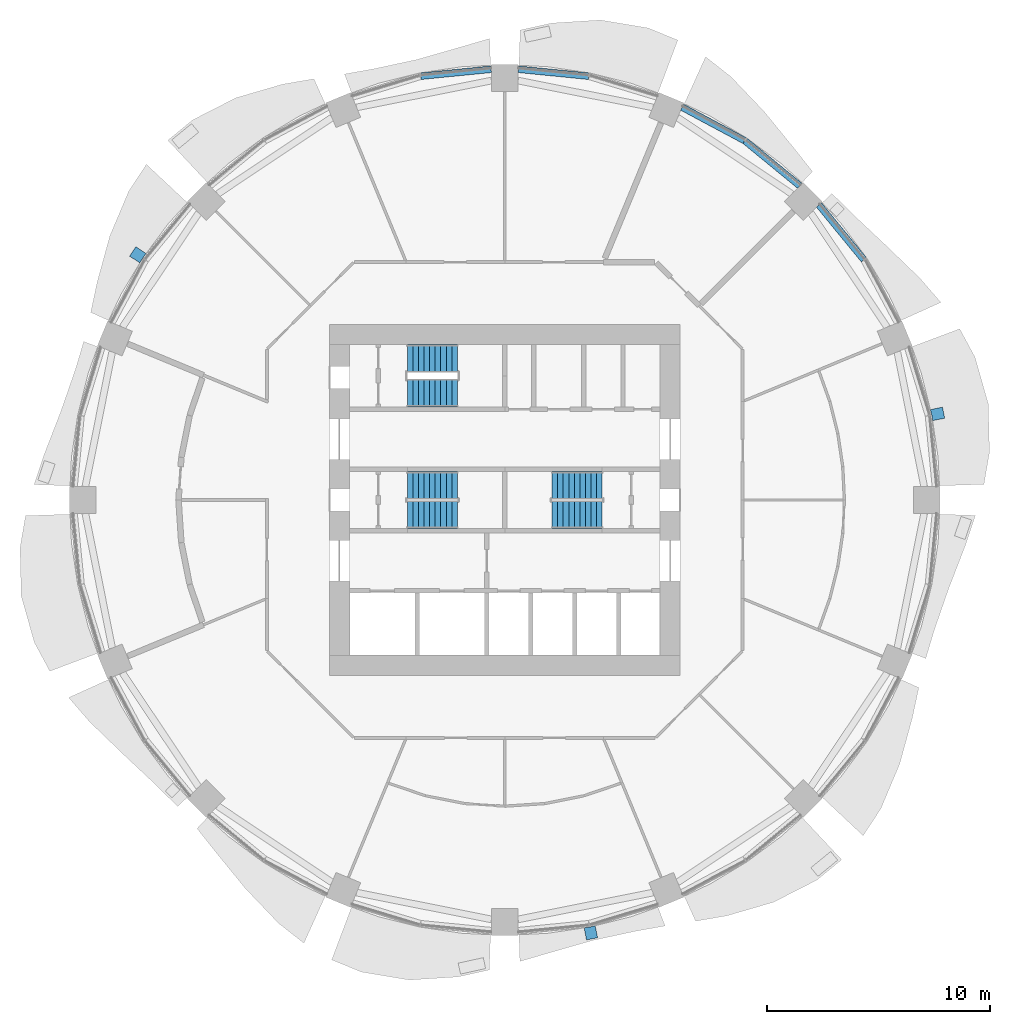
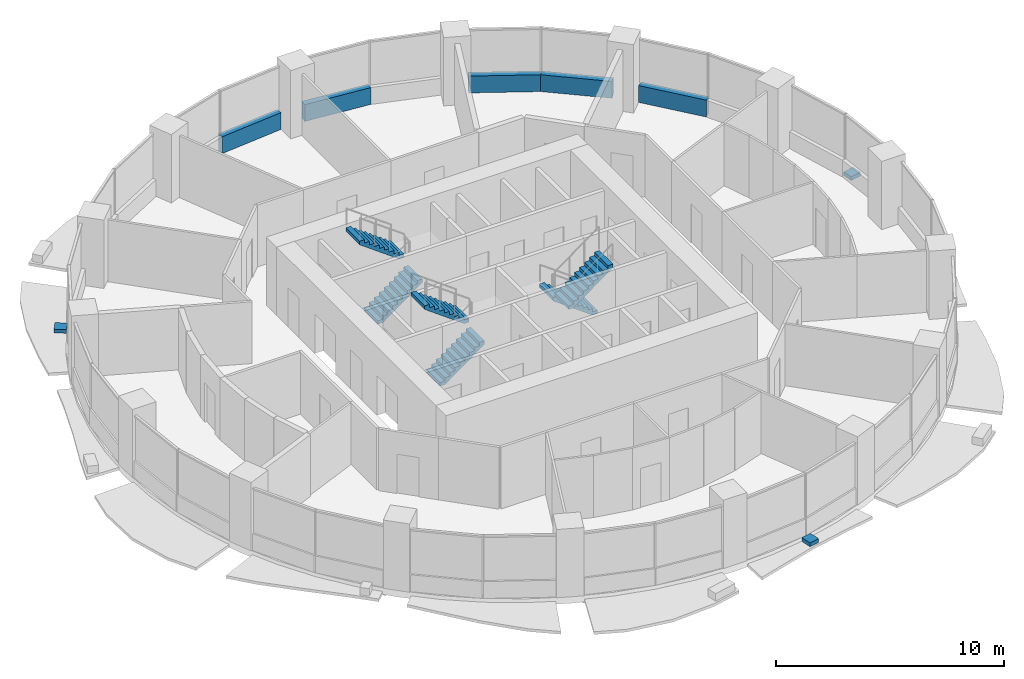
# One storey, part 11 of 15: 6 stair flights, 5 walls, 3 discrete accessories, 3 elements without a shape of their own.
"""IFC4 building model written with IfcOpenShell, lengths in metres."""

import ifcopenshell
import ifcopenshell.guid

model = None  # the IFC model being written
_history = None  # IfcOwnerHistory: only IFC2X3 demands one
_inside = {}  # id of a spatial element -> (the spatial element, [elements in it])
_under = {}  # id of a project, library or spatial element -> (it, [spatial elements below it])
_declared = {}  # id of a project -> (the project, [libraries it declares])
_typed = {}  # id of a type object -> (the type object, [elements of that type])
_made_of = {}  # id of a material, layer set ... -> (it, [elements and type objects made of it])


def new_model(schema):
    """Start an empty IFC model of exactly this schema.

    Asked for "IFC4X3", IfcOpenShell would pick the latest addendum, in which some entities
    have other attributes; the version numbers below select the first issue.
    IFC2X3 requires an IfcOwnerHistory on every rooted entity: one is made here for all.
    """
    global model, _history
    if schema == "IFC4X3":
        model = ifcopenshell.file(schema_version=(4, 3, 0, 0))
    else:
        model = ifcopenshell.file(schema=schema)
    _inside.clear()
    _under.clear()
    _declared.clear()
    _typed.clear()
    _made_of.clear()
    _history = None
    if model.schema == "IFC2X3":
        org = make("IfcOrganization", Name="unknown")
        user = make(
            "IfcPersonAndOrganization",
            ThePerson=make("IfcPerson", FamilyName="unknown"),
            TheOrganization=org,
        )
        app = make(
            "IfcApplication",
            ApplicationDeveloper=org,
            Version="unknown",
            ApplicationFullName="unknown",
            ApplicationIdentifier="unknown",
        )
        _history = make(
            "IfcOwnerHistory",
            OwningUser=user,
            OwningApplication=app,
            ChangeAction="ADDED",
            CreationDate=0,
        )
    return model


def make(cls, **values):
    """One entity of the class cls with the attributes given. An attribute that is None is left unset."""
    return model.create_entity(
        cls, **{name: value for name, value in values.items() if value is not None}
    )


def rooted(cls, **values):
    """An entity with a GlobalId (a new one), such as an element, a storey or a relation."""
    return make(cls, GlobalId=ifcopenshell.guid.new(), OwnerHistory=_history, **values)


def si_unit(unit_type, name, prefix=None):
    """IfcSIUnit, for example si_unit("LENGTHUNIT", "METRE", prefix="MILLI")."""
    return make("IfcSIUnit", UnitType=unit_type, Prefix=prefix, Name=name)


def assignment(units):
    """IfcUnitAssignment: the units of a project."""
    return None if units is None else make("IfcUnitAssignment", Units=units)


def point(xyz):
    """IfcCartesianPoint."""
    return None if xyz is None else make("IfcCartesianPoint", Coordinates=xyz)


def direction(xyz):
    """IfcDirection."""
    return None if xyz is None else make("IfcDirection", DirectionRatios=xyz)


def frame(location, z_axis=None, x_axis=None):
    """IfcAxis2Placement3D, a coordinate frame: its origin and axes. An axis left out is left unset."""
    return make(
        "IfcAxis2Placement3D",
        Location=point(location),
        Axis=direction(z_axis),
        RefDirection=direction(x_axis),
    )


def frame_2d(location, x_axis=None):
    """IfcAxis2Placement2D, a coordinate frame in the plane: its origin and x axis."""
    return make(
        "IfcAxis2Placement2D", Location=point(location), RefDirection=direction(x_axis)
    )


def origin():
    """The frame at (0, 0, 0) with its axes left unset."""
    return frame((0.0, 0.0, 0.0))


def place(relative_to, where):
    """IfcLocalPlacement: puts the frame where relative to a parent placement (None: the world)."""
    return make(
        "IfcLocalPlacement", PlacementRelTo=relative_to, RelativePlacement=where
    )


def context(
    kind, dimensions, precision=None, world=None, true_north=None, identifier=None
):
    """IfcGeometricRepresentationContext, for example the 3D "Model" context."""
    return make(
        "IfcGeometricRepresentationContext",
        ContextIdentifier=identifier,
        ContextType=kind,
        CoordinateSpaceDimension=dimensions,
        Precision=precision,
        WorldCoordinateSystem=world,
        TrueNorth=true_north,
    )


def subcontext(parent, identifier, kind, view, scale=None):
    """IfcGeometricRepresentationSubContext, for example "Body" below "Model"."""
    return make(
        "IfcGeometricRepresentationSubContext",
        ContextIdentifier=identifier,
        ContextType=kind,
        ParentContext=parent,
        TargetScale=scale,
        TargetView=view,
    )


def project(units=None, contexts=None):
    """IfcProject with its units and contexts."""
    return rooted(
        "IfcProject",
        Name="project",
        RepresentationContexts=contexts,
        UnitsInContext=assignment(units),
    )


def spatial(cls, under=None, at=None, **own):
    """A site, building, storey or space (cls), placed at a placement, below another one or the project."""
    s = rooted(cls, ObjectPlacement=at, **own)
    if under is not None:
        _under.setdefault(under.id(), (under, []))[1].append(s)
    return s


def polyline(points):
    """IfcPolyline through the points."""
    return make("IfcPolyline", Points=[point(p) for p in points])


def profile(cls, at=None, kind="AREA", **sizes):
    """A parametric profile (cls). Its sizes go by their IFC names, for example OverallWidth=200.0."""
    return make(cls, ProfileType=kind, Position=at, **sizes)


def rectangle(**sizes):
    """IfcRectangleProfileDef."""
    return profile("IfcRectangleProfileDef", **sizes)


def outline(outer, holes=None, kind="AREA"):
    """IfcArbitraryClosedProfileDef: a profile drawn as a closed curve; with holes, ...WithVoids."""
    if holes is None:
        return make("IfcArbitraryClosedProfileDef", ProfileType=kind, OuterCurve=outer)
    return make(
        "IfcArbitraryProfileDefWithVoids",
        ProfileType=kind,
        OuterCurve=outer,
        InnerCurves=holes,
    )


def extrude(swept, where, along, depth):
    """IfcExtrudedAreaSolid: the profile swept, set in the frame where, extruded along a direction by depth."""
    return make(
        "IfcExtrudedAreaSolid",
        SweptArea=swept,
        Position=where,
        ExtrudedDirection=direction(along),
        Depth=depth,
    )


def shape(context_of_items, identifier, shape_type, items):
    """IfcShapeRepresentation: the items that make up one representation, for example the "Body"."""
    return make(
        "IfcShapeRepresentation",
        ContextOfItems=context_of_items,
        RepresentationIdentifier=identifier,
        RepresentationType=shape_type,
        Items=items,
    )


def material(Name=None, Category=None):
    """IfcMaterial."""
    return make("IfcMaterial", Name=Name, Category=Category)


def layer(
    of_material, thickness, ventilated=None, Name=None, Category=None, Priority=None
):
    """IfcMaterialLayer: one layer of a wall or slab, of a material (None: an air gap)."""
    return make(
        "IfcMaterialLayer",
        Material=of_material,
        LayerThickness=thickness,
        IsVentilated=ventilated,
        Name=Name,
        Category=Category,
        Priority=Priority,
    )


def layer_set(layers, Name=None):
    """IfcMaterialLayerSet."""
    return make("IfcMaterialLayerSet", MaterialLayers=layers, LayerSetName=Name)


def made_of(thing, what):
    """Note that an element or type object is made of a material, layer set ...; save() writes the relation."""
    if what is not None:
        _made_of.setdefault(what.id(), (what, []))[1].append(thing)
    return thing


def type_object(cls, material=None, **own):
    """A type object (cls), such as IfcWallType, which elements share."""
    return made_of(rooted(cls, **own), material)


def element(
    cls,
    number,
    at=None,
    inside=None,
    cuts=None,
    type_object=None,
    material=None,
    context=None,
    identifier="Body",
    shape_type=None,
    held_by="IfcProductDefinitionShape",
    body=None,
    shapes=None,
    **own,
):
    """One element of the class cls, such as IfcWall. Its Tag is "e" and its number.

    at: its placement. inside: the storey or other place that contains it. cuts: it is an
    opening in that element (IfcRelVoidsElement). A single representation is given by context,
    identifier, shape_type and body (its items); several are given by shapes. held_by: the class
    of the entity that holds the representations. save() writes the other relations.
    """
    e = rooted(cls, Tag="e%d" % number, ObjectPlacement=at, **own)
    if body is not None:
        shapes = [shape(context, identifier, shape_type, body)]
    if shapes is not None:
        e.Representation = make(held_by, Representations=shapes)
    if inside is not None:
        _inside.setdefault(inside.id(), (inside, []))[1].append(e)
    if cuts is not None:
        rooted(
            "IfcRelVoidsElement", RelatingBuildingElement=cuts, RelatedOpeningElement=e
        )
    if type_object is not None:
        _typed.setdefault(type_object.id(), (type_object, []))[1].append(e)
    return made_of(e, material)


def aggregate(whole, parts):
    """IfcRelAggregates: a whole, such as a stair, and the parts it consists of."""
    return rooted("IfcRelAggregates", RelatingObject=whole, RelatedObjects=parts)


def save(model, path):
    """Write the relations noted so far, then the file.

    IfcRelAggregates (storeys below a building ...), IfcRelContainedInSpatialStructure (elements
    in a storey), IfcRelDefinesByType, IfcRelAssociatesMaterial and IfcRelDeclares: one each for
    every whole, place, type object, material and project.
    """
    for whole, parts in _under.values():
        aggregate(whole, parts)
    for where, things in _inside.values():
        rooted(
            "IfcRelContainedInSpatialStructure",
            RelatedElements=things,
            RelatingStructure=where,
        )
    for kind, things in _typed.values():
        rooted("IfcRelDefinesByType", RelatedObjects=things, RelatingType=kind)
    for what, things in _made_of.values():
        rooted("IfcRelAssociatesMaterial", RelatedObjects=things, RelatingMaterial=what)
    for by, libraries in _declared.values():
        rooted("IfcRelDeclares", RelatingContext=by, RelatedDefinitions=libraries)
    model.write(path)


model = new_model("IFC4")

# Units and contexts
model_context = context("Model", 3, precision=1e-05, world=origin(), true_north=direction((0.0, 1.0)))
body_context = subcontext(model_context, "Body", "Model", "MODEL_VIEW")
ifc_project = project(units=[si_unit("LENGTHUNIT", "METRE"), si_unit("AREAUNIT", "SQUARE_METRE"), si_unit("VOLUMEUNIT", "CUBIC_METRE"), si_unit("PLANEANGLEUNIT", "RADIAN"), si_unit("MASSUNIT", "GRAM", prefix="KILO")], contexts=[model_context])

# Site, building, storey
site_placement = place(None, origin())
site = spatial("IfcSite", under=ifc_project, at=site_placement, CompositionType="ELEMENT")
building_placement = place(site_placement, origin())
building = spatial("IfcBuilding", under=site, at=building_placement, Name="Polderwave Tower", CompositionType="ELEMENT")
storey_placement = place(building_placement, frame((0.0, 0.0, 59.050048828125)))
storey = spatial("IfcBuildingStorey", under=building, at=storey_placement, Name="L15", CompositionType="ELEMENT", Elevation=59.050048828125)

# Walls
ifc_material_1 = material(Name="Concrete C50/60 (board-marked)", Category="concrete")
ifc_layer = layer(ifc_material_1, 0.300048828125)
ifc_layer_set = layer_set([ifc_layer], Name="Concrete spandrel upstand C50/60")
wall_type = type_object("IfcWallType", Name="Concrete spandrel upstand C50/60", PredefinedType="SOLIDWALL", material=ifc_layer_set)
for number, where, z_axis, x_axis, name in (
    (1, (16.112548828125, 10.78369140625, 0.0), (0.0, 0.0, 1.0), (-0.634164330819, 0.773198293788, 0.0), "Spandrel L15 2b"),
    (2, (13.234375, 14.1025390625, 0.0), (0.0, 0.0, 1.0), (-0.773198293788, 0.634164330819, 0.0), "Spandrel L15 3a"),
):
    element("IfcWall", number, at=place(storey_placement, frame(where, z_axis=z_axis, x_axis=x_axis)), inside=storey, type_object=wall_type, Name=name, PredefinedType="SOLIDWALL", context=body_context, shape_type="SweptSolid", body=[
        extrude(rectangle(XDim=3.16943359375, YDim=0.300048828125, at=frame_2d((1.584716796875, 0.0))), origin(), (0.0, 0.0, 1.0), 0.89990234375),
    ])
wall_placement = place(storey_placement, frame((10.7587890625, 16.129150390625, 0.0), z_axis=(0.0, 0.0, 1.0), x_axis=(-0.882007292685, 0.47123575379, 0.0)))
element("IfcWall", 3, at=wall_placement, inside=storey, type_object=wall_type, Name="Spandrel L15 3b", PredefinedType="SOLIDWALL", context=body_context, shape_type="SweptSolid", body=[
    extrude(rectangle(XDim=3.169677734375, YDim=0.300048828125, at=frame_2d((1.5849609375, 0.0))), origin(), (0.0, 0.0, 1.0), 0.89990234375),
])
for number, where, z_axis, x_axis, name in (
    (4, (3.76806640625, 19.0185546875, 0.0), (0.0, 0.0, 1.0), (-0.995176482603, 0.098100807709, 0.0), "Spandrel L15 4b"),
    (5, (-0.61279296875, 19.32958984375, 0.0), (0.0, 0.0, 1.0), (-0.995176482603, -0.098100807709, 0.0), "Spandrel L15 5a"),
):
    element("IfcWall", number, at=place(storey_placement, frame(where, z_axis=z_axis, x_axis=x_axis)), inside=storey, type_object=wall_type, Name=name, PredefinedType="SOLIDWALL", context=body_context, shape_type="SweptSolid", body=[
        extrude(rectangle(XDim=3.170654296875, YDim=0.300048828125, at=frame_2d((1.58544921875, 0.0))), origin(), (0.0, 0.0, 1.0), 0.89990234375),
    ])

# Stair, stair flights
ifc_material_2 = material(Name="Concrete C40/50", Category="concrete")
stair_type = type_object("IfcStairType", Name="Exit stair 1200 x 20 risers", PredefinedType="HALF_TURN_STAIR", material=ifc_material_2)
stair_1_placement = place(storey_placement, origin())
stair_1 = element("IfcStair", 6, at=stair_1_placement, inside=storey, type_object=stair_type, Name="L15 Exit stair A", PredefinedType="HALF_TURN_STAIR")
stair_flight_type = type_object("IfcStairFlightType", Name="Stair flight 1200", PredefinedType="STRAIGHT", material=ifc_material_2)
stair_flight_1_placement = place(storey_placement, frame((-4.3740234375, -0.675048828125, 0.0), z_axis=(0.0, 0.0, 1.0), x_axis=(1.0, 0.0, 0.0)))
stair_flight_1 = element("IfcStairFlight", 7, at=stair_flight_1_placement, type_object=stair_flight_type, Name="ST-A flight 1", NumberOfRisers=10, NumberOfTreads=9, PredefinedType="STRAIGHT", RiserHeight=0.1825, TreadLength=0.25, context=body_context, shape_type="SweptSolid", body=[
    extrude(outline(polyline([(0.0, 0.0), (0.0, 0.1826171875), (0.25, 0.1826171875), (0.25, 0.364990234375), (0.5, 0.364990234375), (0.5, 0.547607421875), (0.75, 0.547607421875), (0.75, 0.72998046875), (1.0, 0.72998046875), (1.0, 0.91259765625), (1.25, 0.91259765625), (1.25, 1.094970703125), (1.5, 1.094970703125), (1.5, 1.277587890625), (1.75, 1.277587890625), (1.75, 1.4599609375), (2.0, 1.4599609375), (2.0, 1.642578125), (2.25, 1.642578125), (2.25, 1.824951171875), (2.25, 1.456787109375), (0.254150390625, 0.0), (0.0, 0.0)])), frame((0.0, 0.60009765625, 0.0), z_axis=(0.0, -1.0, 0.0), x_axis=(1.0, 0.0, 0.0)), (0.0, 0.0, 1.0), 1.199951171875),
])
stair_flight_2_placement = place(storey_placement, frame((-2.1240234375, 0.675048828125, 1.824951171875), z_axis=(0.0, 0.0, 1.0), x_axis=(-1.0, 0.0, 0.0)))
stair_flight_2 = element("IfcStairFlight", 8, at=stair_flight_2_placement, type_object=stair_flight_type, Name="ST-A flight 2", NumberOfRisers=10, NumberOfTreads=9, PredefinedType="STRAIGHT", RiserHeight=0.1825, TreadLength=0.25, context=body_context, shape_type="SweptSolid", body=[
    extrude(outline(polyline([(0.0, 0.0), (0.0, 0.1826171875), (0.25, 0.1826171875), (0.25, 0.364990234375), (0.5, 0.364990234375), (0.5, 0.547607421875), (0.75, 0.547607421875), (0.75, 0.72998046875), (1.0, 0.72998046875), (1.0, 0.91259765625), (1.25, 0.91259765625), (1.25, 1.094970703125), (1.5, 1.094970703125), (1.5, 1.277587890625), (1.75, 1.277587890625), (1.75, 1.4599609375), (2.0, 1.4599609375), (2.0, 1.642578125), (2.25, 1.642578125), (2.25, 1.824951171875), (2.25, 1.456787109375), (0.254150390625, 0.0), (0.0, 0.0)])), frame((0.0, 0.60009765625, 0.0), z_axis=(0.0, -1.0, 0.0), x_axis=(1.0, 0.0, 0.0)), (0.0, 0.0, 1.0), 1.199951171875),
])
aggregate(stair_1, [stair_flight_1, stair_flight_2])

stair_2_placement = place(storey_placement, origin())
stair_2 = element("IfcStair", 9, at=stair_2_placement, inside=storey, type_object=stair_type, Name="L15 Exit stair B", PredefinedType="HALF_TURN_STAIR")
stair_flight_3_placement = place(storey_placement, frame((4.3740234375, 0.675048828125, 0.0), z_axis=(0.0, 0.0, 1.0), x_axis=(-1.0, 0.0, 0.0)))
stair_flight_3 = element("IfcStairFlight", 10, at=stair_flight_3_placement, type_object=stair_flight_type, Name="ST-B flight 1", NumberOfRisers=10, NumberOfTreads=9, PredefinedType="STRAIGHT", RiserHeight=0.1825, TreadLength=0.25, context=body_context, shape_type="SweptSolid", body=[
    extrude(outline(polyline([(0.0, 0.0), (0.0, 0.1826171875), (0.25, 0.1826171875), (0.25, 0.364990234375), (0.5, 0.364990234375), (0.5, 0.547607421875), (0.75, 0.547607421875), (0.75, 0.72998046875), (1.0, 0.72998046875), (1.0, 0.91259765625), (1.25, 0.91259765625), (1.25, 1.094970703125), (1.5, 1.094970703125), (1.5, 1.277587890625), (1.75, 1.277587890625), (1.75, 1.4599609375), (2.0, 1.4599609375), (2.0, 1.642578125), (2.25, 1.642578125), (2.25, 1.824951171875), (2.25, 1.456787109375), (0.254150390625, 0.0), (0.0, 0.0)])), frame((0.0, 0.60009765625, 0.0), z_axis=(0.0, -1.0, 0.0), x_axis=(1.0, 0.0, 0.0)), (0.0, 0.0, 1.0), 1.199951171875),
])
stair_flight_4_placement = place(storey_placement, frame((2.1240234375, -0.675048828125, 1.824951171875), z_axis=(0.0, 0.0, 1.0), x_axis=(1.0, 0.0, 0.0)))
stair_flight_4 = element("IfcStairFlight", 11, at=stair_flight_4_placement, type_object=stair_flight_type, Name="ST-B flight 2", NumberOfRisers=10, NumberOfTreads=9, PredefinedType="STRAIGHT", RiserHeight=0.1825, TreadLength=0.25, context=body_context, shape_type="SweptSolid", body=[
    extrude(outline(polyline([(0.0, 0.0), (0.0, 0.1826171875), (0.25, 0.1826171875), (0.25, 0.364990234375), (0.5, 0.364990234375), (0.5, 0.547607421875), (0.75, 0.547607421875), (0.75, 0.72998046875), (1.0, 0.72998046875), (1.0, 0.91259765625), (1.25, 0.91259765625), (1.25, 1.094970703125), (1.5, 1.094970703125), (1.5, 1.277587890625), (1.75, 1.277587890625), (1.75, 1.4599609375), (2.0, 1.4599609375), (2.0, 1.642578125), (2.25, 1.642578125), (2.25, 1.824951171875), (2.25, 1.456787109375), (0.254150390625, 0.0), (0.0, 0.0)])), frame((0.0, 0.60009765625, 0.0), z_axis=(0.0, -1.0, 0.0), x_axis=(1.0, 0.0, 0.0)), (0.0, 0.0, 1.0), 1.199951171875),
])
aggregate(stair_2, [stair_flight_3, stair_flight_4])

stair_3_placement = place(storey_placement, origin())
stair_3 = element("IfcStair", 12, at=stair_3_placement, inside=storey, type_object=stair_type, Name="L15 Exit stair C", PredefinedType="HALF_TURN_STAIR")
stair_flight_5_placement = place(storey_placement, frame((-4.3740234375, 4.77392578125, 0.0), z_axis=(0.0, 0.0, 1.0), x_axis=(1.0, 0.0, 0.0)))
stair_flight_5 = element("IfcStairFlight", 13, at=stair_flight_5_placement, type_object=stair_flight_type, Name="ST-C flight 1", NumberOfRisers=10, NumberOfTreads=9, PredefinedType="STRAIGHT", RiserHeight=0.1825, TreadLength=0.25, context=body_context, shape_type="SweptSolid", body=[
    extrude(outline(polyline([(0.0, 0.0), (0.0, 0.1826171875), (0.25, 0.1826171875), (0.25, 0.364990234375), (0.5, 0.364990234375), (0.5, 0.547607421875), (0.75, 0.547607421875), (0.75, 0.72998046875), (1.0, 0.72998046875), (1.0, 0.91259765625), (1.25, 0.91259765625), (1.25, 1.094970703125), (1.5, 1.094970703125), (1.5, 1.277587890625), (1.75, 1.277587890625), (1.75, 1.4599609375), (2.0, 1.4599609375), (2.0, 1.642578125), (2.25, 1.642578125), (2.25, 1.824951171875), (2.25, 1.456787109375), (0.254150390625, 0.0), (0.0, 0.0)])), frame((0.0, 0.60009765625, 0.0), z_axis=(0.0, -1.0, 0.0), x_axis=(1.0, 0.0, 0.0)), (0.0, 0.0, 1.0), 1.199951171875),
])
stair_flight_6_placement = place(storey_placement, frame((-2.1240234375, 6.3740234375, 1.824951171875), z_axis=(0.0, 0.0, 1.0), x_axis=(-1.0, 0.0, 0.0)))
stair_flight_6 = element("IfcStairFlight", 14, at=stair_flight_6_placement, type_object=stair_flight_type, Name="ST-C flight 2", NumberOfRisers=10, NumberOfTreads=9, PredefinedType="STRAIGHT", RiserHeight=0.1825, TreadLength=0.25, context=body_context, shape_type="SweptSolid", body=[
    extrude(outline(polyline([(0.0, 0.0), (0.0, 0.1826171875), (0.25, 0.1826171875), (0.25, 0.364990234375), (0.5, 0.364990234375), (0.5, 0.547607421875), (0.75, 0.547607421875), (0.75, 0.72998046875), (1.0, 0.72998046875), (1.0, 0.91259765625), (1.25, 0.91259765625), (1.25, 1.094970703125), (1.5, 1.094970703125), (1.5, 1.277587890625), (1.75, 1.277587890625), (1.75, 1.4599609375), (2.0, 1.4599609375), (2.0, 1.642578125), (2.25, 1.642578125), (2.25, 1.824951171875), (2.25, 1.456787109375), (0.254150390625, 0.0), (0.0, 0.0)])), frame((0.0, 0.60009765625, 0.0), z_axis=(0.0, -1.0, 0.0), x_axis=(1.0, 0.0, 0.0)), (0.0, 0.0, 1.0), 1.199951171875),
])
aggregate(stair_3, [stair_flight_5, stair_flight_6])

# Discrete accessories
ifc_material_3 = material(Name="Steel S355", Category="steel")
discrete_accessory_type = type_object("IfcDiscreteAccessoryType", Name="Band bracket pad", PredefinedType="BRACKET", material=ifc_material_3)
discrete_accessory_1_placement = place(storey_placement, frame((0.0, 0.0, -0.199951171875)))
element("IfcDiscreteAccessory", 15, at=discrete_accessory_1_placement, inside=storey, type_object=discrete_accessory_type, Name="Band bracket L15 1", PredefinedType="BRACKET", context=body_context, shape_type="SweptSolid", body=[
    extrude(outline(polyline([(19.201171875, 3.564697265625), (19.16455078125, 3.81201171875), (19.103759765625, 4.0546875), (19.641845703125, 4.168701171875), (19.741943359375, 3.665283203125), (19.201171875, 3.564697265625)])), origin(), (0.0, 0.0, 1.0), 0.199951171875),
])
discrete_accessory_2_placement = place(storey_placement, frame((0.0, 0.0, -0.199951171875)))
element("IfcDiscreteAccessory", 16, at=discrete_accessory_2_placement, inside=storey, type_object=discrete_accessory_type, Name="Band bracket L15 7", PredefinedType="BRACKET", context=body_context, shape_type="SweptSolid", body=[
    extrude(outline(polyline([(-16.097900390625, 11.056640625), (-16.246826171875, 10.855712890625), (-16.37548828125, 10.641357421875), (-16.836669921875, 10.941162109375), (-16.551513671875, 11.367919921875), (-16.097900390625, 11.056640625)])), origin(), (0.0, 0.0, 1.0), 0.199951171875),
])
discrete_accessory_3_placement = place(storey_placement, frame((0.0, 0.0, -0.199951171875)))
element("IfcDiscreteAccessory", 17, at=discrete_accessory_3_placement, inside=storey, type_object=discrete_accessory_type, Name="Band bracket L15 13", PredefinedType="BRACKET", context=body_context, shape_type="SweptSolid", body=[
    extrude(outline(polyline([(3.564697265625, -19.201171875), (3.81201171875, -19.16455078125), (4.0546875, -19.103759765625), (4.168701171875, -19.641845703125), (3.665283203125, -19.741943359375), (3.564697265625, -19.201171875)])), origin(), (0.0, 0.0, 1.0), 0.199951171875),
])

save(model, "model.ifc")
